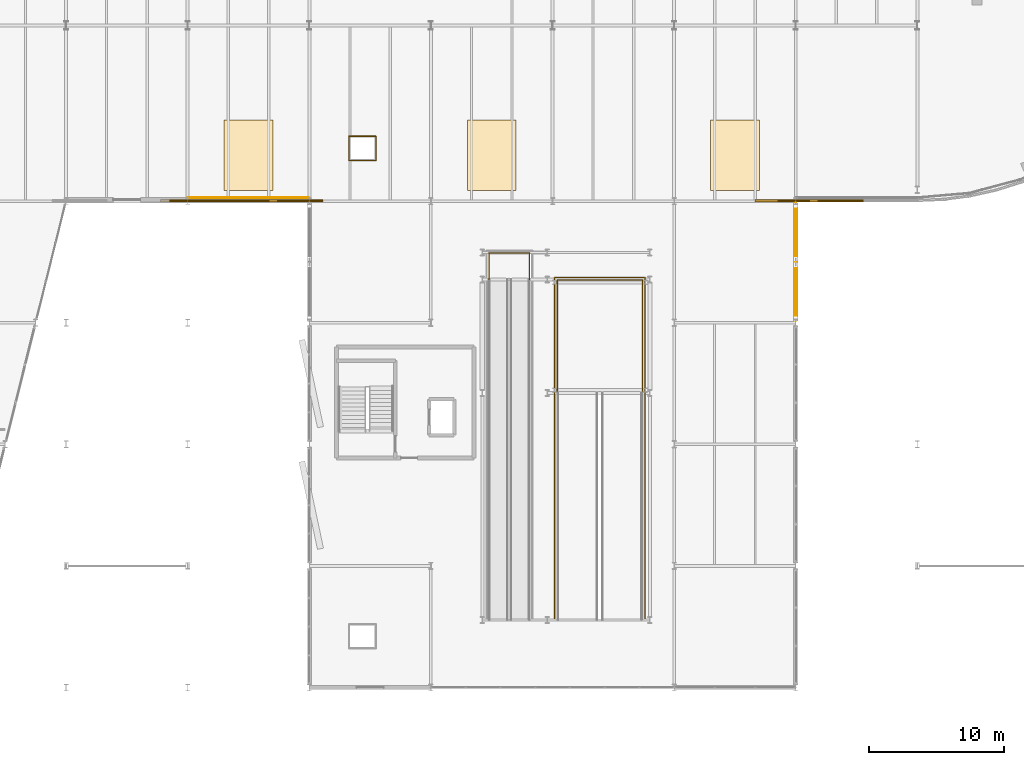
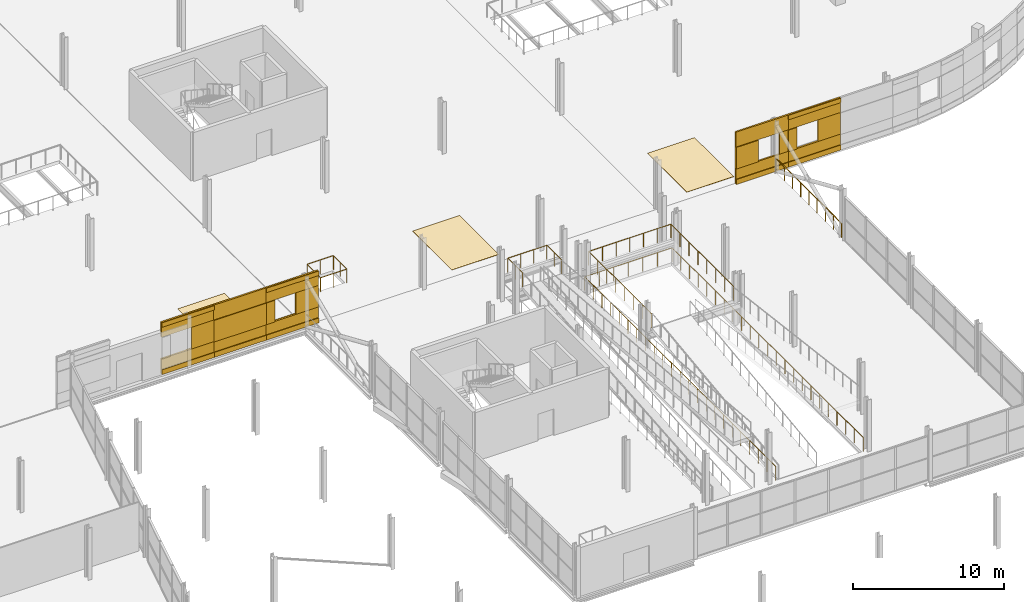
# One storey, part 132 of 140: 29 coverings, 7 railings.
"""IFC4 building model written with IfcOpenShell, lengths in metres."""

from ifc_helpers import new_model, si_unit, direction, frame, origin, origin_2d, place, context, subcontext, project, spatial, polyline, rectangle, circle, outline, extrude, material, layer, layer_set, type_object, element, save


model = new_model("IFC4")

# Units and contexts
model_context = context("Model", 3, precision=1e-05, world=origin(), true_north=direction((0.0, 1.0)))
body_context = subcontext(model_context, "Body", "Model", "MODEL_VIEW")
ifc_project = project(units=[si_unit("LENGTHUNIT", "METRE"), si_unit("AREAUNIT", "SQUARE_METRE"), si_unit("VOLUMEUNIT", "CUBIC_METRE"), si_unit("PLANEANGLEUNIT", "RADIAN"), si_unit("MASSUNIT", "GRAM", prefix="KILO")], contexts=[model_context])

# Site, building, storey
site_placement = place(None, origin())
site = spatial("IfcSite", under=ifc_project, at=site_placement, CompositionType="ELEMENT")
building_placement = place(site_placement, origin())
building = spatial("IfcBuilding", under=site, at=building_placement, Name="Deido Ridge Mobility Hub", CompositionType="ELEMENT")
storey_placement = place(building_placement, origin())
storey = spatial("IfcBuildingStorey", under=building, at=storey_placement, Name="L00", CompositionType="ELEMENT", Elevation=0.0)

# Coverings
ifc_material_1 = material(Name="Fired clay brick masonry", Category="masonry")
ifc_layer_1 = layer(ifc_material_1, 0.114990234375, Name="Fired clay brick masonry")
ifc_layer_set_1 = layer_set([ifc_layer_1], Name="Fired clay brick masonry")
covering_type_1 = type_object("IfcCoveringType", Name="COV-BRK-SCREEN-115", PredefinedType="CLADDING", material=ifc_layer_set_1)
covering_1_placement = place(storey_placement, frame((63.0, 81.052490234375, 0.0), z_axis=(0.0, 0.0, 1.0), x_axis=(1.0, 0.0, 0.0)))
element("IfcCovering", 1, at=covering_1_placement, inside=storey, type_object=covering_type_1, Name="Open brickwork spandrel course BKS1 (L00)", PredefinedType="CLADDING", context=body_context, shape_type="SweptSolid", body=[
    extrude(rectangle(XDim=4.01611328125, YDim=0.125, at=origin_2d()), origin(), (0.0, 0.0, 1.0), 1.25),
])
covering_2_placement = place(storey_placement, frame((63.0, 81.02490234375, 0.0), z_axis=(0.0, 0.0, 1.0), x_axis=(1.0, 0.0, 0.0)))
element("IfcCovering", 2, at=covering_2_placement, inside=storey, type_object=covering_type_1, Name="Raised brick relief belt BKS1 (L00)", PredefinedType="CLADDING", context=body_context, shape_type="SweptSolid", body=[
    extrude(rectangle(XDim=4.01611328125, YDim=0.179931640625, at=origin_2d()), origin(), (0.0, 0.0, 1.0), 0.39990234375),
])
covering_3_placement = place(storey_placement, frame((63.0, 81.052490234375, 3.0), z_axis=(0.0, 0.0, 1.0), x_axis=(1.0, 0.0, 0.0)))
element("IfcCovering", 3, at=covering_3_placement, inside=storey, type_object=covering_type_1, Name="Open brickwork lintel course BKS1 (L00)", PredefinedType="CLADDING", context=body_context, shape_type="SweptSolid", body=[
    extrude(rectangle(XDim=4.01611328125, YDim=0.125, at=origin_2d()), origin(), (0.0, 0.0, 1.0), 1.199951171875),
])
covering_4_placement = place(storey_placement, frame((63.0, 81.02490234375, 3.83984375), z_axis=(0.0, 0.0, 1.0), x_axis=(1.0, 0.0, 0.0)))
element("IfcCovering", 4, at=covering_4_placement, inside=storey, type_object=covering_type_1, Name="Raised brick relief cornice BKS1 (L00)", PredefinedType="CLADDING", context=body_context, shape_type="SweptSolid", body=[
    extrude(rectangle(XDim=4.01611328125, YDim=0.179931640625, at=origin_2d()), origin(), (0.0, 0.0, 1.0), 0.360107421875),
])
covering_5_placement = place(storey_placement, frame((64.152587890625, 81.052490234375, 1.25), z_axis=(0.0, 0.0, 1.0), x_axis=(1.0, 0.0, 0.0)))
element("IfcCovering", 5, at=covering_5_placement, inside=storey, type_object=covering_type_1, Name="Open brickwork pier BKS1 (L00)", PredefinedType="CLADDING", context=body_context, shape_type="SweptSolid", body=[
    extrude(rectangle(XDim=1.695068359375, YDim=0.125, at=origin_2d()), origin(), (0.0, 0.0, 1.0), 1.75),
])
covering_6_placement = place(storey_placement, frame((67.0, 81.052490234375, 0.0), z_axis=(0.0, 0.0, 1.0), x_axis=(1.0, 0.0, 0.0)))
element("IfcCovering", 6, at=covering_6_placement, inside=storey, type_object=covering_type_1, Name="Open brickwork spandrel course BKS1 (L00)", PredefinedType="CLADDING", context=body_context, shape_type="SweptSolid", body=[
    extrude(rectangle(XDim=4.01611328125, YDim=0.125, at=origin_2d()), origin(), (0.0, 0.0, 1.0), 1.25),
])
covering_7_placement = place(storey_placement, frame((67.0, 81.02490234375, 0.0), z_axis=(0.0, 0.0, 1.0), x_axis=(1.0, 0.0, 0.0)))
element("IfcCovering", 7, at=covering_7_placement, inside=storey, type_object=covering_type_1, Name="Raised brick relief belt BKS1 (L00)", PredefinedType="CLADDING", context=body_context, shape_type="SweptSolid", body=[
    extrude(rectangle(XDim=4.01611328125, YDim=0.179931640625, at=origin_2d()), origin(), (0.0, 0.0, 1.0), 0.39990234375),
])
covering_8_placement = place(storey_placement, frame((67.0, 81.052490234375, 3.0), z_axis=(0.0, 0.0, 1.0), x_axis=(1.0, 0.0, 0.0)))
element("IfcCovering", 8, at=covering_8_placement, inside=storey, type_object=covering_type_1, Name="Open brickwork lintel course BKS1 (L00)", PredefinedType="CLADDING", context=body_context, shape_type="SweptSolid", body=[
    extrude(rectangle(XDim=4.01611328125, YDim=0.125, at=origin_2d()), origin(), (0.0, 0.0, 1.0), 1.199951171875),
])
covering_9_placement = place(storey_placement, frame((67.0, 81.02490234375, 1.25), z_axis=(0.0, 0.0, 1.0), x_axis=(1.0, 0.0, 0.0)))
element("IfcCovering", 9, at=covering_9_placement, inside=storey, type_object=covering_type_1, Name="Raised brick relief panel BKS1 (L00)", PredefinedType="CLADDING", context=body_context, shape_type="SweptSolid", body=[
    extrude(rectangle(XDim=4.008056640625, YDim=0.179931640625, at=origin_2d()), origin(), (0.0, 0.0, 1.0), 1.75),
])
covering_10_placement = place(storey_placement, frame((71.0, 81.052490234375, 0.0), z_axis=(0.0, 0.0, 1.0), x_axis=(1.0, 0.0, 0.0)))
element("IfcCovering", 10, at=covering_10_placement, inside=storey, type_object=covering_type_1, Name="Open brickwork spandrel course BKS1 (L00)", PredefinedType="CLADDING", context=body_context, shape_type="SweptSolid", body=[
    extrude(rectangle(XDim=4.01611328125, YDim=0.125, at=origin_2d()), origin(), (0.0, 0.0, 1.0), 1.25),
])
covering_11_placement = place(storey_placement, frame((71.0, 81.02490234375, 0.0), z_axis=(0.0, 0.0, 1.0), x_axis=(1.0, 0.0, 0.0)))
element("IfcCovering", 11, at=covering_11_placement, inside=storey, type_object=covering_type_1, Name="Raised brick relief belt BKS1 (L00)", PredefinedType="CLADDING", context=body_context, shape_type="SweptSolid", body=[
    extrude(rectangle(XDim=4.01611328125, YDim=0.179931640625, at=origin_2d()), origin(), (0.0, 0.0, 1.0), 0.39990234375),
])
covering_12_placement = place(storey_placement, frame((71.0, 81.052490234375, 3.0), z_axis=(0.0, 0.0, 1.0), x_axis=(1.0, 0.0, 0.0)))
element("IfcCovering", 12, at=covering_12_placement, inside=storey, type_object=covering_type_1, Name="Open brickwork lintel course BKS1 (L00)", PredefinedType="CLADDING", context=body_context, shape_type="SweptSolid", body=[
    extrude(rectangle(XDim=4.01611328125, YDim=0.125, at=origin_2d()), origin(), (0.0, 0.0, 1.0), 1.199951171875),
])
covering_13_placement = place(storey_placement, frame((71.0, 81.02490234375, 3.83984375), z_axis=(0.0, 0.0, 1.0), x_axis=(1.0, 0.0, 0.0)))
element("IfcCovering", 13, at=covering_13_placement, inside=storey, type_object=covering_type_1, Name="Raised brick relief cornice BKS1 (L00)", PredefinedType="CLADDING", context=body_context, shape_type="SweptSolid", body=[
    extrude(rectangle(XDim=4.01611328125, YDim=0.179931640625, at=origin_2d()), origin(), (0.0, 0.0, 1.0), 0.360107421875),
])
covering_14_placement = place(storey_placement, frame((69.327392578125, 81.02490234375, 1.25), z_axis=(0.0, 0.0, 1.0), x_axis=(1.0, 0.0, 0.0)))
element("IfcCovering", 14, at=covering_14_placement, inside=storey, type_object=covering_type_1, Name="Open brickwork pier BKS1 (L00)", PredefinedType="CLADDING", context=body_context, shape_type="SweptSolid", body=[
    extrude(rectangle(XDim=0.655029296875, YDim=0.179931640625, at=origin_2d()), origin(), (0.0, 0.0, 1.0), 1.75),
])
covering_15_placement = place(storey_placement, frame((72.152587890625, 81.052490234375, 1.25), z_axis=(0.0, 0.0, 1.0), x_axis=(1.0, 0.0, 0.0)))
element("IfcCovering", 15, at=covering_15_placement, inside=storey, type_object=covering_type_1, Name="Open brickwork pier BKS1 (L00)", PredefinedType="CLADDING", context=body_context, shape_type="SweptSolid", body=[
    extrude(rectangle(XDim=1.695068359375, YDim=0.125, at=origin_2d()), origin(), (0.0, 0.0, 1.0), 1.75),
])
covering_16_placement = place(storey_placement, frame((107.0, 81.052490234375, 0.0), z_axis=(0.0, 0.0, 1.0), x_axis=(1.0, 0.0, 0.0)))
element("IfcCovering", 16, at=covering_16_placement, inside=storey, type_object=covering_type_1, Name="Open brickwork spandrel course BKS1 (L00)", PredefinedType="CLADDING", context=body_context, shape_type="SweptSolid", body=[
    extrude(rectangle(XDim=4.01611328125, YDim=0.125, at=origin_2d()), origin(), (0.0, 0.0, 1.0), 1.25),
])
covering_17_placement = place(storey_placement, frame((107.0, 81.02490234375, 0.0), z_axis=(0.0, 0.0, 1.0), x_axis=(1.0, 0.0, 0.0)))
element("IfcCovering", 17, at=covering_17_placement, inside=storey, type_object=covering_type_1, Name="Raised brick relief belt BKS1 (L00)", PredefinedType="CLADDING", context=body_context, shape_type="SweptSolid", body=[
    extrude(rectangle(XDim=4.01611328125, YDim=0.179931640625, at=origin_2d()), origin(), (0.0, 0.0, 1.0), 0.39990234375),
])
covering_18_placement = place(storey_placement, frame((107.0, 81.052490234375, 3.0), z_axis=(0.0, 0.0, 1.0), x_axis=(1.0, 0.0, 0.0)))
element("IfcCovering", 18, at=covering_18_placement, inside=storey, type_object=covering_type_1, Name="Open brickwork lintel course BKS1 (L00)", PredefinedType="CLADDING", context=body_context, shape_type="SweptSolid", body=[
    extrude(rectangle(XDim=4.01611328125, YDim=0.125, at=origin_2d()), origin(), (0.0, 0.0, 1.0), 1.199951171875),
])
covering_19_placement = place(storey_placement, frame((105.847412109375, 81.02490234375, 1.25), z_axis=(0.0, 0.0, 1.0), x_axis=(1.0, 0.0, 0.0)))
element("IfcCovering", 19, at=covering_19_placement, inside=storey, type_object=covering_type_1, Name="Open brickwork pier BKS1 (L00)", PredefinedType="CLADDING", context=body_context, shape_type="SweptSolid", body=[
    extrude(rectangle(XDim=1.695068359375, YDim=0.179931640625, at=origin_2d()), origin(), (0.0, 0.0, 1.0), 1.75),
])
covering_20_placement = place(storey_placement, frame((108.672607421875, 81.052490234375, 1.25), z_axis=(0.0, 0.0, 1.0), x_axis=(1.0, 0.0, 0.0)))
element("IfcCovering", 20, at=covering_20_placement, inside=storey, type_object=covering_type_1, Name="Open brickwork pier BKS1 (L00)", PredefinedType="CLADDING", context=body_context, shape_type="SweptSolid", body=[
    extrude(rectangle(XDim=0.655029296875, YDim=0.125, at=origin_2d()), origin(), (0.0, 0.0, 1.0), 1.75),
])
covering_21_placement = place(storey_placement, frame((111.0, 81.052490234375, 0.0), z_axis=(0.0, 0.0, 1.0), x_axis=(1.0, 0.0, 0.0)))
element("IfcCovering", 21, at=covering_21_placement, inside=storey, type_object=covering_type_1, Name="Open brickwork spandrel course BKS1 (L00)", PredefinedType="CLADDING", context=body_context, shape_type="SweptSolid", body=[
    extrude(rectangle(XDim=4.01611328125, YDim=0.125, at=origin_2d()), origin(), (0.0, 0.0, 1.0), 1.25),
])
covering_22_placement = place(storey_placement, frame((111.0, 81.02490234375, 0.0), z_axis=(0.0, 0.0, 1.0), x_axis=(1.0, 0.0, 0.0)))
element("IfcCovering", 22, at=covering_22_placement, inside=storey, type_object=covering_type_1, Name="Raised brick relief belt BKS1 (L00)", PredefinedType="CLADDING", context=body_context, shape_type="SweptSolid", body=[
    extrude(rectangle(XDim=4.01611328125, YDim=0.179931640625, at=origin_2d()), origin(), (0.0, 0.0, 1.0), 0.39990234375),
])
covering_23_placement = place(storey_placement, frame((111.0, 81.052490234375, 3.0), z_axis=(0.0, 0.0, 1.0), x_axis=(1.0, 0.0, 0.0)))
element("IfcCovering", 23, at=covering_23_placement, inside=storey, type_object=covering_type_1, Name="Open brickwork lintel course BKS1 (L00)", PredefinedType="CLADDING", context=body_context, shape_type="SweptSolid", body=[
    extrude(rectangle(XDim=4.01611328125, YDim=0.125, at=origin_2d()), origin(), (0.0, 0.0, 1.0), 1.199951171875),
])
covering_24_placement = place(storey_placement, frame((111.0, 81.02490234375, 3.83984375), z_axis=(0.0, 0.0, 1.0), x_axis=(1.0, 0.0, 0.0)))
element("IfcCovering", 24, at=covering_24_placement, inside=storey, type_object=covering_type_1, Name="Raised brick relief cornice BKS1 (L00)", PredefinedType="CLADDING", context=body_context, shape_type="SweptSolid", body=[
    extrude(rectangle(XDim=4.01611328125, YDim=0.179931640625, at=origin_2d()), origin(), (0.0, 0.0, 1.0), 0.360107421875),
])
covering_25_placement = place(storey_placement, frame((109.327392578125, 81.02490234375, 1.25), z_axis=(0.0, 0.0, 1.0), x_axis=(1.0, 0.0, 0.0)))
element("IfcCovering", 25, at=covering_25_placement, inside=storey, type_object=covering_type_1, Name="Open brickwork pier BKS1 (L00)", PredefinedType="CLADDING", context=body_context, shape_type="SweptSolid", body=[
    extrude(rectangle(XDim=0.655029296875, YDim=0.179931640625, at=origin_2d()), origin(), (0.0, 0.0, 1.0), 1.75),
])
covering_26_placement = place(storey_placement, frame((112.152587890625, 81.052490234375, 1.25), z_axis=(0.0, 0.0, 1.0), x_axis=(1.0, 0.0, 0.0)))
element("IfcCovering", 26, at=covering_26_placement, inside=storey, type_object=covering_type_1, Name="Open brickwork pier BKS1 (L00)", PredefinedType="CLADDING", context=body_context, shape_type="SweptSolid", body=[
    extrude(rectangle(XDim=1.695068359375, YDim=0.125, at=origin_2d()), origin(), (0.0, 0.0, 1.0), 1.75),
])
ifc_material_2 = material(Name="Epoxy terrazzo floor finish")
ifc_layer_2 = layer(ifc_material_2, 0.02001953125, Name="Epoxy terrazzo floor finish")
ifc_layer_set_2 = layer_set([ifc_layer_2], Name="Epoxy terrazzo floor finish")
covering_type_2 = type_object("IfcCoveringType", Name="COV-FLR-TER-20", PredefinedType="FLOORING", material=ifc_layer_set_2)
covering_27_placement = place(storey_placement, origin())
element("IfcCovering", 27, at=covering_27_placement, inside=storey, type_object=covering_type_2, Name="Accessible parking bay marking AB04", PredefinedType="FLOORING", context=body_context, shape_type="SweptSolid", body=[
    extrude(outline(polyline([(65.699951171875, 81.800048828125), (69.300048828125, 81.800048828125), (69.300048828125, 87.0), (65.699951171875, 87.0), (65.699951171875, 81.800048828125)])), origin(), (0.0, 0.0, 1.0), 0.02001953125),
])
covering_28_placement = place(storey_placement, origin())
element("IfcCovering", 28, at=covering_28_placement, inside=storey, type_object=covering_type_2, Name="Accessible parking bay marking AB05", PredefinedType="FLOORING", context=body_context, shape_type="SweptSolid", body=[
    extrude(outline(polyline([(83.699951171875, 81.800048828125), (87.300048828125, 81.800048828125), (87.300048828125, 87.0), (83.699951171875, 87.0), (83.699951171875, 81.800048828125)])), origin(), (0.0, 0.0, 1.0), 0.02001953125),
])
covering_29_placement = place(storey_placement, origin())
element("IfcCovering", 29, at=covering_29_placement, inside=storey, type_object=covering_type_2, Name="Accessible parking bay marking AB06", PredefinedType="FLOORING", context=body_context, shape_type="SweptSolid", body=[
    extrude(outline(polyline([(101.699951171875, 81.800048828125), (105.300048828125, 81.800048828125), (105.300048828125, 87.0), (101.699951171875, 87.0), (101.699951171875, 81.800048828125)])), origin(), (0.0, 0.0, 1.0), 0.02001953125),
])

# Railings
ifc_material_3 = material(Name="Galvanised steel work", Category="steel")
railing_type = type_object("IfcRailingType", Name="RL-GRD-EXT-1150", PredefinedType="GUARDRAIL", material=ifc_material_3)
railing_1_placement = place(storey_placement, frame((108.0, 72.14990234375, 0.0)))
element("IfcRailing", 30, at=railing_1_placement, inside=storey, type_object=railing_type, Name="Braced bay perimeter guard (L00)", PredefinedType="GUARDRAIL", context=body_context, shape_type="SweptSolid", body=[
    extrude(circle(Radius=0.02392578125, at=origin_2d()), frame((0.0, 0.0, 1.1259765625), z_axis=(0.0, 1.0, 0.0), x_axis=(-1.0, 0.0, 0.0)), (0.0, 0.0, 1.0), 8.7001953125),
    extrude(circle(Radius=0.02099609375, at=origin_2d()), origin(), (0.0, 0.0, 1.0), 1.101806640625),
    extrude(circle(Radius=0.02099609375, at=origin_2d()), frame((0.0, 1.08740234375, 0.0)), (0.0, 0.0, 1.0), 1.101806640625),
    extrude(circle(Radius=0.02099609375, at=origin_2d()), frame((0.0, 2.175048828125, 0.0)), (0.0, 0.0, 1.0), 1.101806640625),
    extrude(circle(Radius=0.02099609375, at=origin_2d()), frame((0.0, 3.2626953125, 0.0)), (0.0, 0.0, 1.0), 1.101806640625),
    extrude(circle(Radius=0.02099609375, at=origin_2d()), frame((0.0, 4.35009765625, 0.0)), (0.0, 0.0, 1.0), 1.101806640625),
    extrude(circle(Radius=0.02099609375, at=origin_2d()), frame((0.0, 5.4375, 0.0)), (0.0, 0.0, 1.0), 1.101806640625),
    extrude(circle(Radius=0.02099609375, at=origin_2d()), frame((0.0, 6.525146484375, 0.0)), (0.0, 0.0, 1.0), 1.101806640625),
    extrude(circle(Radius=0.02099609375, at=origin_2d()), frame((0.0, 7.61279296875, 0.0)), (0.0, 0.0, 1.0), 1.101806640625),
    extrude(circle(Radius=0.02099609375, at=origin_2d()), frame((0.0, 8.7001953125, 0.0)), (0.0, 0.0, 1.0), 1.101806640625),
])
railing_2_placement = place(storey_placement, frame((63.0400390625, 81.25, 0.0)))
element("IfcRailing", 31, at=railing_2_placement, inside=storey, type_object=railing_type, Name="Parking drum perimeter guard (L00)", PredefinedType="GUARDRAIL", context=body_context, shape_type="SweptSolid", body=[
    extrude(circle(Radius=0.02392578125, at=origin_2d()), frame((0.0, 0.0, 1.1259765625), z_axis=(1.0, 0.0, 0.0), x_axis=(0.0, 1.0, 0.0)), (0.0, 0.0, 1.0), 8.919921875),
    extrude(circle(Radius=0.02099609375, at=origin_2d()), origin(), (0.0, 0.0, 1.0), 1.101806640625),
    extrude(circle(Radius=0.02099609375, at=origin_2d()), frame((1.114990234375, 0.0, 0.0)), (0.0, 0.0, 1.0), 1.101806640625),
    extrude(circle(Radius=0.02099609375, at=origin_2d()), frame((2.22998046875, 0.0, 0.0)), (0.0, 0.0, 1.0), 1.101806640625),
    extrude(circle(Radius=0.02099609375, at=origin_2d()), frame((3.344970703125, 0.0, 0.0)), (0.0, 0.0, 1.0), 1.101806640625),
    extrude(circle(Radius=0.02099609375, at=origin_2d()), frame((4.4599609375, 0.0, 0.0)), (0.0, 0.0, 1.0), 1.101806640625),
    extrude(circle(Radius=0.02099609375, at=origin_2d()), frame((5.574951171875, 0.0, 0.0)), (0.0, 0.0, 1.0), 1.101806640625),
    extrude(circle(Radius=0.02099609375, at=origin_2d()), frame((6.68994140625, 0.0, 0.0)), (0.0, 0.0, 1.0), 1.101806640625),
    extrude(circle(Radius=0.02099609375, at=origin_2d()), frame((7.804931640625, 0.0, 0.0)), (0.0, 0.0, 1.0), 1.101806640625),
    extrude(circle(Radius=0.02099609375, at=origin_2d()), frame((8.919921875, 0.0, 0.0)), (0.0, 0.0, 1.0), 1.101806640625),
])
railing_3_placement = place(storey_placement, frame((90.14990234375, 50.0, 0.0)))
element("IfcRailing", 32, at=railing_3_placement, inside=storey, type_object=railing_type, Name="Vehicle ramp well guard (L00)", PredefinedType="GUARDRAIL", context=body_context, shape_type="SweptSolid", body=[
    extrude(circle(Radius=0.02392578125, at=origin_2d()), frame((0.0, 0.0, 1.1259765625), z_axis=(0.0, 1.0, 0.0), x_axis=(-1.0, 0.0, 0.0)), (0.0, 0.0, 1.0), 25.35009765625),
    extrude(circle(Radius=0.02392578125, at=origin_2d()), frame((0.0, 25.35009765625, 1.1259765625), z_axis=(1.0, 0.0, 0.0), x_axis=(0.0, 1.0, 0.0)), (0.0, 0.0, 1.0), 6.7001953125),
    extrude(circle(Radius=0.02392578125, at=origin_2d()), frame((6.7001953125, 25.35009765625, 1.1259765625), z_axis=(0.0, -1.0, 0.0), x_axis=(1.0, 0.0, 0.0)), (0.0, 0.0, 1.0), 25.35009765625),
    extrude(circle(Radius=0.02099609375, at=origin_2d()), origin(), (0.0, 0.0, 1.0), 1.101806640625),
    extrude(circle(Radius=0.02099609375, at=origin_2d()), frame((0.0, 1.15234375, 0.0)), (0.0, 0.0, 1.0), 1.101806640625),
    extrude(circle(Radius=0.02099609375, at=origin_2d()), frame((0.0, 2.304443359375, 0.0)), (0.0, 0.0, 1.0), 1.101806640625),
    extrude(circle(Radius=0.02099609375, at=origin_2d()), frame((0.0, 3.456787109375, 0.0)), (0.0, 0.0, 1.0), 1.101806640625),
    extrude(circle(Radius=0.02099609375, at=origin_2d()), frame((0.0, 4.609130859375, 0.0)), (0.0, 0.0, 1.0), 1.101806640625),
    extrude(circle(Radius=0.02099609375, at=origin_2d()), frame((0.0, 5.761474609375, 0.0)), (0.0, 0.0, 1.0), 1.101806640625),
    extrude(circle(Radius=0.02099609375, at=origin_2d()), frame((0.0, 6.91357421875, 0.0)), (0.0, 0.0, 1.0), 1.101806640625),
    extrude(circle(Radius=0.02099609375, at=origin_2d()), frame((0.0, 8.06591796875, 0.0)), (0.0, 0.0, 1.0), 1.101806640625),
    extrude(circle(Radius=0.02099609375, at=origin_2d()), frame((0.0, 9.21826171875, 0.0)), (0.0, 0.0, 1.0), 1.101806640625),
    extrude(circle(Radius=0.02099609375, at=origin_2d()), frame((0.0, 10.37060546875, 0.0)), (0.0, 0.0, 1.0), 1.101806640625),
    extrude(circle(Radius=0.02099609375, at=origin_2d()), frame((0.0, 11.522705078125, 0.0)), (0.0, 0.0, 1.0), 1.101806640625),
    extrude(circle(Radius=0.02099609375, at=origin_2d()), frame((0.0, 12.675048828125, 0.0)), (0.0, 0.0, 1.0), 1.101806640625),
    extrude(circle(Radius=0.02099609375, at=origin_2d()), frame((0.0, 13.827392578125, 0.0)), (0.0, 0.0, 1.0), 1.101806640625),
    extrude(circle(Radius=0.02099609375, at=origin_2d()), frame((0.0, 14.9794921875, 0.0)), (0.0, 0.0, 1.0), 1.101806640625),
    extrude(circle(Radius=0.02099609375, at=origin_2d()), frame((0.0, 16.1318359375, 0.0)), (0.0, 0.0, 1.0), 1.101806640625),
    extrude(circle(Radius=0.02099609375, at=origin_2d()), frame((0.0, 17.2841796875, 0.0)), (0.0, 0.0, 1.0), 1.101806640625),
    extrude(circle(Radius=0.02099609375, at=origin_2d()), frame((0.0, 18.4365234375, 0.0)), (0.0, 0.0, 1.0), 1.101806640625),
    extrude(circle(Radius=0.02099609375, at=origin_2d()), frame((0.0, 19.588623046875, 0.0)), (0.0, 0.0, 1.0), 1.101806640625),
    extrude(circle(Radius=0.02099609375, at=origin_2d()), frame((0.0, 20.740966796875, 0.0)), (0.0, 0.0, 1.0), 1.101806640625),
    extrude(circle(Radius=0.02099609375, at=origin_2d()), frame((0.0, 21.893310546875, 0.0)), (0.0, 0.0, 1.0), 1.101806640625),
    extrude(circle(Radius=0.02099609375, at=origin_2d()), frame((0.0, 23.045654296875, 0.0)), (0.0, 0.0, 1.0), 1.101806640625),
    extrude(circle(Radius=0.02099609375, at=origin_2d()), frame((0.0, 24.19775390625, 0.0)), (0.0, 0.0, 1.0), 1.101806640625),
    extrude(circle(Radius=0.02099609375, at=origin_2d()), frame((0.0, 25.35009765625, 0.0)), (0.0, 0.0, 1.0), 1.101806640625),
    extrude(circle(Radius=0.02099609375, at=origin_2d()), frame((1.11669921875, 25.35009765625, 0.0)), (0.0, 0.0, 1.0), 1.101806640625),
    extrude(circle(Radius=0.02099609375, at=origin_2d()), frame((2.2333984375, 25.35009765625, 0.0)), (0.0, 0.0, 1.0), 1.101806640625),
    extrude(circle(Radius=0.02099609375, at=origin_2d()), frame((3.35009765625, 25.35009765625, 0.0)), (0.0, 0.0, 1.0), 1.101806640625),
    extrude(circle(Radius=0.02099609375, at=origin_2d()), frame((4.466796875, 25.35009765625, 0.0)), (0.0, 0.0, 1.0), 1.101806640625),
    extrude(circle(Radius=0.02099609375, at=origin_2d()), frame((5.58349609375, 25.35009765625, 0.0)), (0.0, 0.0, 1.0), 1.101806640625),
    extrude(circle(Radius=0.02099609375, at=origin_2d()), frame((6.7001953125, 25.35009765625, 0.0)), (0.0, 0.0, 1.0), 1.101806640625),
    extrude(circle(Radius=0.02099609375, at=origin_2d()), frame((6.7001953125, 24.19775390625, 0.0)), (0.0, 0.0, 1.0), 1.101806640625),
    extrude(circle(Radius=0.02099609375, at=origin_2d()), frame((6.7001953125, 23.045654296875, 0.0)), (0.0, 0.0, 1.0), 1.101806640625),
    extrude(circle(Radius=0.02099609375, at=origin_2d()), frame((6.7001953125, 21.893310546875, 0.0)), (0.0, 0.0, 1.0), 1.101806640625),
    extrude(circle(Radius=0.02099609375, at=origin_2d()), frame((6.7001953125, 20.740966796875, 0.0)), (0.0, 0.0, 1.0), 1.101806640625),
    extrude(circle(Radius=0.02099609375, at=origin_2d()), frame((6.7001953125, 19.588623046875, 0.0)), (0.0, 0.0, 1.0), 1.101806640625),
    extrude(circle(Radius=0.02099609375, at=origin_2d()), frame((6.7001953125, 18.4365234375, 0.0)), (0.0, 0.0, 1.0), 1.101806640625),
    extrude(circle(Radius=0.02099609375, at=origin_2d()), frame((6.7001953125, 17.2841796875, 0.0)), (0.0, 0.0, 1.0), 1.101806640625),
    extrude(circle(Radius=0.02099609375, at=origin_2d()), frame((6.7001953125, 16.1318359375, 0.0)), (0.0, 0.0, 1.0), 1.101806640625),
    extrude(circle(Radius=0.02099609375, at=origin_2d()), frame((6.7001953125, 14.9794921875, 0.0)), (0.0, 0.0, 1.0), 1.101806640625),
    extrude(circle(Radius=0.02099609375, at=origin_2d()), frame((6.7001953125, 13.827392578125, 0.0)), (0.0, 0.0, 1.0), 1.101806640625),
    extrude(circle(Radius=0.02099609375, at=origin_2d()), frame((6.7001953125, 12.675048828125, 0.0)), (0.0, 0.0, 1.0), 1.101806640625),
    extrude(circle(Radius=0.02099609375, at=origin_2d()), frame((6.7001953125, 11.522705078125, 0.0)), (0.0, 0.0, 1.0), 1.101806640625),
    extrude(circle(Radius=0.02099609375, at=origin_2d()), frame((6.7001953125, 10.37060546875, 0.0)), (0.0, 0.0, 1.0), 1.101806640625),
    extrude(circle(Radius=0.02099609375, at=origin_2d()), frame((6.7001953125, 9.21826171875, 0.0)), (0.0, 0.0, 1.0), 1.101806640625),
    extrude(circle(Radius=0.02099609375, at=origin_2d()), frame((6.7001953125, 8.06591796875, 0.0)), (0.0, 0.0, 1.0), 1.101806640625),
    extrude(circle(Radius=0.02099609375, at=origin_2d()), frame((6.7001953125, 6.91357421875, 0.0)), (0.0, 0.0, 1.0), 1.101806640625),
    extrude(circle(Radius=0.02099609375, at=origin_2d()), frame((6.7001953125, 5.761474609375, 0.0)), (0.0, 0.0, 1.0), 1.101806640625),
    extrude(circle(Radius=0.02099609375, at=origin_2d()), frame((6.7001953125, 4.609130859375, 0.0)), (0.0, 0.0, 1.0), 1.101806640625),
    extrude(circle(Radius=0.02099609375, at=origin_2d()), frame((6.7001953125, 3.456787109375, 0.0)), (0.0, 0.0, 1.0), 1.101806640625),
    extrude(circle(Radius=0.02099609375, at=origin_2d()), frame((6.7001953125, 2.304443359375, 0.0)), (0.0, 0.0, 1.0), 1.101806640625),
    extrude(circle(Radius=0.02099609375, at=origin_2d()), frame((6.7001953125, 1.15234375, 0.0)), (0.0, 0.0, 1.0), 1.101806640625),
    extrude(circle(Radius=0.02099609375, at=origin_2d()), frame((6.7001953125, 0.0, 0.0)), (0.0, 0.0, 1.0), 1.101806640625),
])
railing_4_placement = place(storey_placement, frame((90.35009765625, 66.800048828125, 2.10009765625)))
element("IfcRailing", 33, at=railing_4_placement, inside=storey, type_object=railing_type, Name="Vehicle ramp landing guard (L00)", PredefinedType="GUARDRAIL", context=body_context, shape_type="SweptSolid", body=[
    extrude(circle(Radius=0.02392578125, at=origin_2d()), frame((0.0, 0.0, 1.1259765625), z_axis=(0.0, 1.0, 0.0), x_axis=(-1.0, 0.0, 0.0)), (0.0, 0.0, 1.0), 8.349853515625),
    extrude(circle(Radius=0.02392578125, at=origin_2d()), frame((0.0, 8.349853515625, 1.1259765625), z_axis=(1.0, 0.0, 0.0), x_axis=(0.0, 1.0, 0.0)), (0.0, 0.0, 1.0), 6.2998046875),
    extrude(circle(Radius=0.02392578125, at=origin_2d()), frame((6.2998046875, 8.349853515625, 1.1259765625), z_axis=(0.0, -1.0, 0.0), x_axis=(1.0, 0.0, 0.0)), (0.0, 0.0, 1.0), 8.349853515625),
    extrude(circle(Radius=0.02099609375, at=origin_2d()), origin(), (0.0, 0.0, 1.0), 1.101806640625),
    extrude(circle(Radius=0.02099609375, at=origin_2d()), frame((0.0, 1.19287109375, 0.0)), (0.0, 0.0, 1.0), 1.101806640625),
    extrude(circle(Radius=0.02099609375, at=origin_2d()), frame((0.0, 2.3857421875, 0.0)), (0.0, 0.0, 1.0), 1.101806640625),
    extrude(circle(Radius=0.02099609375, at=origin_2d()), frame((0.0, 3.57861328125, 0.0)), (0.0, 0.0, 1.0), 1.101806640625),
    extrude(circle(Radius=0.02099609375, at=origin_2d()), frame((0.0, 4.771240234375, 0.0)), (0.0, 0.0, 1.0), 1.101806640625),
    extrude(circle(Radius=0.02099609375, at=origin_2d()), frame((0.0, 5.964111328125, 0.0)), (0.0, 0.0, 1.0), 1.101806640625),
    extrude(circle(Radius=0.02099609375, at=origin_2d()), frame((0.0, 7.156982421875, 0.0)), (0.0, 0.0, 1.0), 1.101806640625),
    extrude(circle(Radius=0.02099609375, at=origin_2d()), frame((0.0, 8.349853515625, 0.0)), (0.0, 0.0, 1.0), 1.101806640625),
    extrude(circle(Radius=0.02099609375, at=origin_2d()), frame((1.050048828125, 8.349853515625, 0.0)), (0.0, 0.0, 1.0), 1.101806640625),
    extrude(circle(Radius=0.02099609375, at=origin_2d()), frame((2.099853515625, 8.349853515625, 0.0)), (0.0, 0.0, 1.0), 1.101806640625),
    extrude(circle(Radius=0.02099609375, at=origin_2d()), frame((3.14990234375, 8.349853515625, 0.0)), (0.0, 0.0, 1.0), 1.101806640625),
    extrude(circle(Radius=0.02099609375, at=origin_2d()), frame((4.199951171875, 8.349853515625, 0.0)), (0.0, 0.0, 1.0), 1.101806640625),
    extrude(circle(Radius=0.02099609375, at=origin_2d()), frame((5.249755859375, 8.349853515625, 0.0)), (0.0, 0.0, 1.0), 1.101806640625),
    extrude(circle(Radius=0.02099609375, at=origin_2d()), frame((6.2998046875, 8.349853515625, 0.0)), (0.0, 0.0, 1.0), 1.101806640625),
    extrude(circle(Radius=0.02099609375, at=origin_2d()), frame((6.2998046875, 7.156982421875, 0.0)), (0.0, 0.0, 1.0), 1.101806640625),
    extrude(circle(Radius=0.02099609375, at=origin_2d()), frame((6.2998046875, 5.964111328125, 0.0)), (0.0, 0.0, 1.0), 1.101806640625),
    extrude(circle(Radius=0.02099609375, at=origin_2d()), frame((6.2998046875, 4.771240234375, 0.0)), (0.0, 0.0, 1.0), 1.101806640625),
    extrude(circle(Radius=0.02099609375, at=origin_2d()), frame((6.2998046875, 3.57861328125, 0.0)), (0.0, 0.0, 1.0), 1.101806640625),
    extrude(circle(Radius=0.02099609375, at=origin_2d()), frame((6.2998046875, 2.3857421875, 0.0)), (0.0, 0.0, 1.0), 1.101806640625),
    extrude(circle(Radius=0.02099609375, at=origin_2d()), frame((6.2998046875, 1.19287109375, 0.0)), (0.0, 0.0, 1.0), 1.101806640625),
    extrude(circle(Radius=0.02099609375, at=origin_2d()), frame((6.2998046875, 0.0, 0.0)), (0.0, 0.0, 1.0), 1.101806640625),
])
railing_5_placement = place(storey_placement, frame((85.300048828125, 75.199951171875, 2.10009765625)))
element("IfcRailing", 34, at=railing_5_placement, inside=storey, type_object=railing_type, Name="Cycle ramp landing guard (L00)", PredefinedType="GUARDRAIL", context=body_context, shape_type="SweptSolid", body=[
    extrude(circle(Radius=0.02392578125, at=origin_2d()), frame((0.0, 0.0, 1.1259765625), z_axis=(0.0, 1.0, 0.0), x_axis=(-1.0, 0.0, 0.0)), (0.0, 0.0, 1.0), 1.949951171875),
    extrude(circle(Radius=0.02392578125, at=origin_2d()), frame((0.0, 1.949951171875, 1.1259765625), z_axis=(1.0, 0.0, 0.0), x_axis=(0.0, 1.0, 0.0)), (0.0, 0.0, 1.0), 3.0),
    extrude(circle(Radius=0.02392578125, at=origin_2d()), frame((3.0, 1.949951171875, 1.1259765625), z_axis=(0.0, -1.0, 0.0), x_axis=(1.0, 0.0, 0.0)), (0.0, 0.0, 1.0), 1.949951171875),
    extrude(circle(Radius=0.02099609375, at=origin_2d()), origin(), (0.0, 0.0, 1.0), 1.101806640625),
    extrude(circle(Radius=0.02099609375, at=origin_2d()), frame((0.0, 0.97509765625, 0.0)), (0.0, 0.0, 1.0), 1.101806640625),
    extrude(circle(Radius=0.02099609375, at=origin_2d()), frame((0.0, 1.949951171875, 0.0)), (0.0, 0.0, 1.0), 1.101806640625),
    extrude(circle(Radius=0.02099609375, at=origin_2d()), frame((1.0, 1.949951171875, 0.0)), (0.0, 0.0, 1.0), 1.101806640625),
    extrude(circle(Radius=0.02099609375, at=origin_2d()), frame((2.0, 1.949951171875, 0.0)), (0.0, 0.0, 1.0), 1.101806640625),
    extrude(circle(Radius=0.02099609375, at=origin_2d()), frame((3.0, 1.949951171875, 0.0)), (0.0, 0.0, 1.0), 1.101806640625),
    extrude(circle(Radius=0.02099609375, at=origin_2d()), frame((3.0, 0.97509765625, 0.0)), (0.0, 0.0, 1.0), 1.101806640625),
    extrude(circle(Radius=0.02099609375, at=origin_2d()), frame((3.0, 0.0, 0.0)), (0.0, 0.0, 1.0), 1.101806640625),
])
railing_6_placement = place(storey_placement, frame((74.925048828125, 84.0, 0.0)))
element("IfcRailing", 35, at=railing_6_placement, inside=storey, type_object=railing_type, Name="Service riser shaft guard (L00) A", PredefinedType="GUARDRAIL", context=body_context, shape_type="SweptSolid", body=[
    extrude(circle(Radius=0.02392578125, at=origin_2d()), frame((0.0, 0.0, 1.1259765625), z_axis=(1.0, 0.0, 0.0), x_axis=(0.0, 1.0, 0.0)), (0.0, 0.0, 1.0), 2.0),
    extrude(circle(Radius=0.02392578125, at=origin_2d()), frame((2.0, 0.0, 1.1259765625), z_axis=(0.0, 1.0, 0.0), x_axis=(-1.0, 0.0, 0.0)), (0.0, 0.0, 1.0), 1.739990234375),
    extrude(circle(Radius=0.02099609375, at=origin_2d()), origin(), (0.0, 0.0, 1.0), 1.101806640625),
    extrude(circle(Radius=0.02099609375, at=origin_2d()), frame((1.0, 0.0, 0.0)), (0.0, 0.0, 1.0), 1.101806640625),
    extrude(circle(Radius=0.02099609375, at=origin_2d()), frame((2.0, 0.0, 0.0)), (0.0, 0.0, 1.0), 1.101806640625),
    extrude(circle(Radius=0.02099609375, at=origin_2d()), frame((2.0, 0.8701171875, 0.0)), (0.0, 0.0, 1.0), 1.101806640625),
    extrude(circle(Radius=0.02099609375, at=origin_2d()), frame((2.0, 1.739990234375, 0.0)), (0.0, 0.0, 1.0), 1.101806640625),
])
railing_7_placement = place(storey_placement, frame((76.925048828125, 85.800048828125, 0.0)))
element("IfcRailing", 36, at=railing_7_placement, inside=storey, type_object=railing_type, Name="Service riser shaft guard (L00) B", PredefinedType="GUARDRAIL", context=body_context, shape_type="SweptSolid", body=[
    extrude(circle(Radius=0.02392578125, at=origin_2d()), frame((0.0, 0.0, 1.1259765625), z_axis=(-1.0, 0.0, 0.0), x_axis=(0.0, -1.0, 0.0)), (0.0, 0.0, 1.0), 2.0),
    extrude(circle(Radius=0.02392578125, at=origin_2d()), frame((-2.0, 0.0, 1.1259765625), z_axis=(0.0, -1.0, 0.0), x_axis=(1.0, 0.0, 0.0)), (0.0, 0.0, 1.0), 1.739990234375),
    extrude(circle(Radius=0.02099609375, at=origin_2d()), origin(), (0.0, 0.0, 1.0), 1.101806640625),
    extrude(circle(Radius=0.02099609375, at=origin_2d()), frame((-1.0, 0.0, 0.0)), (0.0, 0.0, 1.0), 1.101806640625),
    extrude(circle(Radius=0.02099609375, at=origin_2d()), frame((-2.0, 0.0, 0.0)), (0.0, 0.0, 1.0), 1.101806640625),
    extrude(circle(Radius=0.02099609375, at=origin_2d()), frame((-2.0, -0.8701171875, 0.0)), (0.0, 0.0, 1.0), 1.101806640625),
    extrude(circle(Radius=0.02099609375, at=origin_2d()), frame((-2.0, -1.739990234375, 0.0)), (0.0, 0.0, 1.0), 1.101806640625),
])

save(model, "model.ifc")
